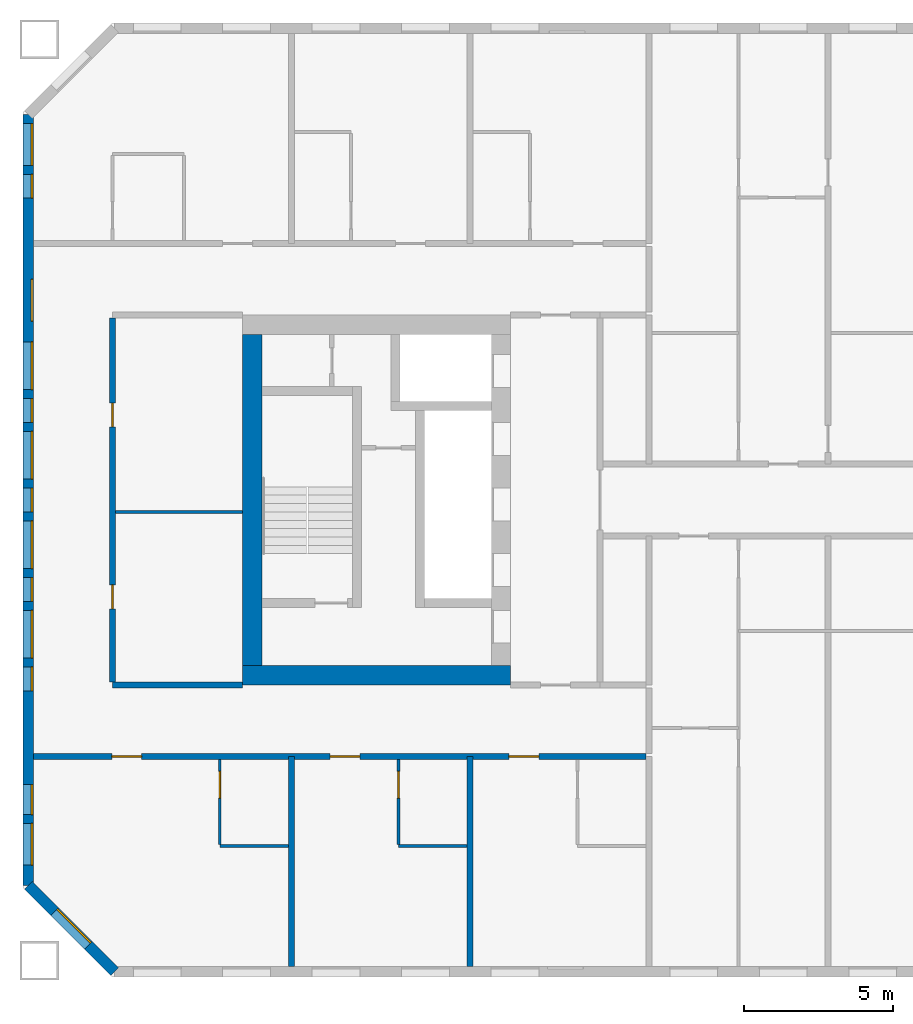
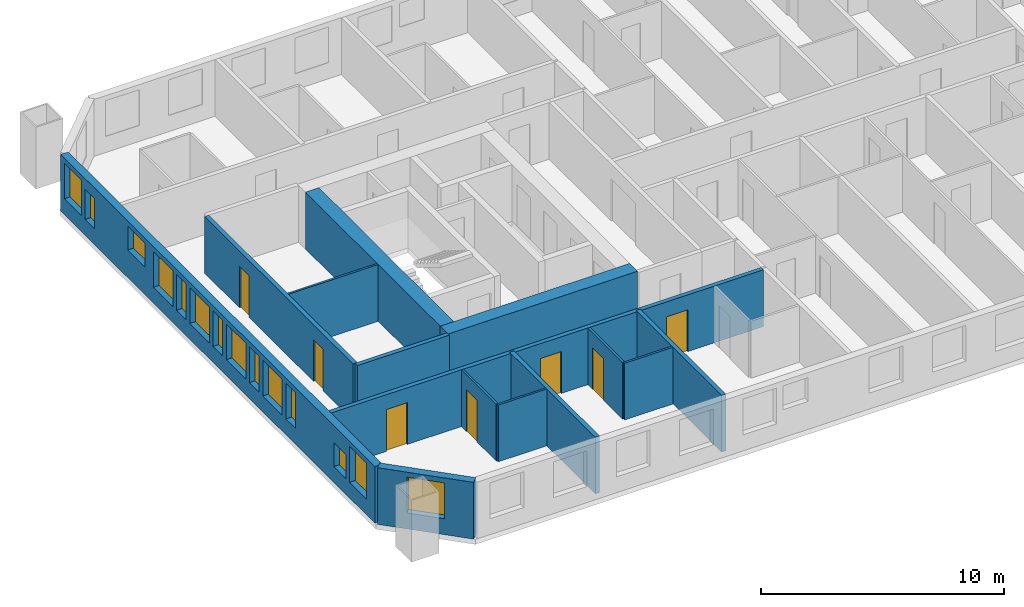
# One storey, part 2 of 17: 14 walls, 14 windows, 7 doors, 21 openings.
"""IFC4 building model written with IfcOpenShell, lengths in metres."""

from ifc_helpers import new_model, si_unit, direction, frame, frame_2d, origin, place, context, subcontext, project, spatial, rectangle, extrude, material, layer, layer_set, type_object, element, fill, save


model = new_model("IFC4")

# Units and contexts
model_context = context("Model", 3, precision=1e-05, world=origin(), true_north=direction((0.0, 1.0)))
body_context = subcontext(model_context, "Body", "Model", "MODEL_VIEW")
ifc_project = project(units=[si_unit("LENGTHUNIT", "METRE"), si_unit("AREAUNIT", "SQUARE_METRE"), si_unit("VOLUMEUNIT", "CUBIC_METRE"), si_unit("PLANEANGLEUNIT", "RADIAN"), si_unit("MASSUNIT", "GRAM", prefix="KILO")], contexts=[model_context])

# Site, building, storey
site_placement = place(None, origin())
site = spatial("IfcSite", under=ifc_project, at=site_placement, CompositionType="ELEMENT")
building_placement = place(site_placement, origin())
building = spatial("IfcBuilding", under=site, at=building_placement, Name="Tuart Gate Housing", CompositionType="ELEMENT")
storey_placement = place(building_placement, frame((0.0, 0.0, 108.800048828125)))
storey = spatial("IfcBuildingStorey", under=building, at=storey_placement, Name="L30", CompositionType="ELEMENT", Elevation=108.800048828125)

# Wall, opening, window
ifc_material_1 = material(Name="Brick", Category="masonry")
ifc_layer_1 = layer(ifc_material_1, 0.360107421875)
ifc_layer_set_1 = layer_set([ifc_layer_1], Name="Brick pier and spandrel wall 360")
wall_type_1 = type_object("IfcWallType", Name="Brick pier and spandrel wall 360", PredefinedType="STANDARD", material=ifc_layer_set_1)
wall_1_placement = place(storey_placement, frame((25.179931640625, 57.07470703125, 0.0), z_axis=(0.0, 0.0, 1.0), x_axis=(0.707106781187, -0.707106781187, 0.0)))
wall_1 = element("IfcWall", 1, at=wall_1_placement, inside=storey, type_object=wall_type_1, Name="External wall A-SW L30", PredefinedType="STANDARD", context=body_context, shape_type="SweptSolid", body=[
    extrude(rectangle(XDim=4.09375, YDim=0.360107421875, at=frame_2d((2.046875, 0.0))), origin(), (0.0, 0.0, 1.0), 2.849853515625),
])
opening_1_placement = place(wall_1_placement, frame((1.2470703125, 0.0, 0.800048828125)))
opening_1 = element("IfcOpeningElement", 2, at=opening_1_placement, cuts=wall_1, Name="Opening W1", PredefinedType="OPENING", context=body_context, shape_type="SweptSolid", body=[
    extrude(rectangle(XDim=1.60009765625, YDim=1.800048828125, at=frame_2d((0.800048828125, 0.89990234375))), frame((0.0, 0.18994140625, 0.0), z_axis=(0.0, -1.0, 0.0), x_axis=(1.0, 0.0, 0.0)), (0.0, 0.0, 1.0), 0.380126953125),
])
ifc_material_2 = material(Name="Aluminium frame with clear glass", Category="aluminium")
window_type_1 = type_object("IfcWindowType", Name="Punched window 1600 x 1800", PartitioningType="SINGLE_PANEL", PredefinedType="WINDOW", material=ifc_material_2)
window_1_placement = place(opening_1_placement, origin())
window_1 = element("IfcWindow", 3, at=window_1_placement, inside=storey, type_object=window_type_1, Name="Window W1", OverallHeight=1.800048828125, OverallWidth=1.60009765625, PartitioningType="SINGLE_PANEL", PredefinedType="WINDOW", context=body_context, shape_type="SweptSolid", body=[
    extrude(rectangle(XDim=1.60009765625, YDim=1.800048828125, at=frame_2d((0.800048828125, 0.89990234375))), frame((0.0, 0.150146484375, 0.0), z_axis=(0.0, -1.0, 0.0), x_axis=(1.0, 0.0, 0.0)), (0.0, 0.0, 1.0), 0.06005859375),
])
fill(opening_1, window_1)

# Wall, openings, windows
wall_2_placement = place(storey_placement, frame((25.179931640625, 82.92529296875, 0.0), z_axis=(0.0, 0.0, 1.0), x_axis=(0.0, -1.0, 0.0)))
wall_2 = element("IfcWall", 4, at=wall_2_placement, inside=storey, type_object=wall_type_1, Name="External wall A-W L30", PredefinedType="STANDARD", context=body_context, shape_type="SweptSolid", body=[
    extrude(rectangle(XDim=25.850830078125, YDim=0.360107421875, at=frame_2d((12.92529296875, 0.0))), origin(), (0.0, 0.0, 1.0), 2.849853515625),
])
opening_2_placement = place(wall_2_placement, frame((0.300048828125, 0.0, 0.800048828125)))
opening_2 = element("IfcOpeningElement", 5, at=opening_2_placement, cuts=wall_2, Name="Opening W1A", PredefinedType="OPENING", context=body_context, shape_type="SweptSolid", body=[
    extrude(rectangle(XDim=1.39990234375, YDim=1.800048828125, at=frame_2d((0.699951171875, 0.89990234375))), frame((0.0, 0.18994140625, 0.0), z_axis=(0.0, -1.0, 0.0), x_axis=(1.0, 0.0, 0.0)), (0.0, 0.0, 1.0), 0.380126953125),
])
opening_3_placement = place(wall_2_placement, frame((5.525390625, 0.0, 1.39990234375)))
opening_3 = element("IfcOpeningElement", 6, at=opening_3_placement, cuts=wall_2, Name="Opening W1M", PredefinedType="OPENING", context=body_context, shape_type="SweptSolid", body=[
    extrude(rectangle(XDim=1.39990234375, YDim=1.199951171875, at=frame_2d((0.699951171875, 0.60009765625))), frame((0.0, 0.18994140625, 0.0), z_axis=(0.0, -1.0, 0.0), x_axis=(1.0, 0.0, 0.0)), (0.0, 0.0, 1.0), 0.380126953125),
])
opening_4_placement = place(wall_2_placement, frame((7.62548828125, 0.0, 0.800048828125)))
opening_4 = element("IfcOpeningElement", 7, at=opening_4_placement, cuts=wall_2, Name="Opening W1", PredefinedType="OPENING", context=body_context, shape_type="SweptSolid", body=[
    extrude(rectangle(XDim=1.60009765625, YDim=1.800048828125, at=frame_2d((0.800048828125, 0.89990234375))), frame((0.0, 0.18994140625, 0.0), z_axis=(0.0, -1.0, 0.0), x_axis=(1.0, 0.0, 0.0)), (0.0, 0.0, 1.0), 0.380126953125),
])
opening_5_placement = place(wall_2_placement, frame((10.62548828125, 0.0, 0.800048828125)))
opening_5 = element("IfcOpeningElement", 8, at=opening_5_placement, cuts=wall_2, Name="Opening W1", PredefinedType="OPENING", context=body_context, shape_type="SweptSolid", body=[
    extrude(rectangle(XDim=1.60009765625, YDim=1.800048828125, at=frame_2d((0.800048828125, 0.89990234375))), frame((0.0, 0.18994140625, 0.0), z_axis=(0.0, -1.0, 0.0), x_axis=(1.0, 0.0, 0.0)), (0.0, 0.0, 1.0), 0.380126953125),
])
opening_6_placement = place(wall_2_placement, frame((13.62548828125, 0.0, 0.800048828125)))
opening_6 = element("IfcOpeningElement", 9, at=opening_6_placement, cuts=wall_2, Name="Opening W1", PredefinedType="OPENING", context=body_context, shape_type="SweptSolid", body=[
    extrude(rectangle(XDim=1.60009765625, YDim=1.800048828125, at=frame_2d((0.800048828125, 0.89990234375))), frame((0.0, 0.18994140625, 0.0), z_axis=(0.0, -1.0, 0.0), x_axis=(1.0, 0.0, 0.0)), (0.0, 0.0, 1.0), 0.380126953125),
])
opening_7_placement = place(wall_2_placement, frame((16.62548828125, 0.0, 0.800048828125)))
opening_7 = element("IfcOpeningElement", 10, at=opening_7_placement, cuts=wall_2, Name="Opening W1", PredefinedType="OPENING", context=body_context, shape_type="SweptSolid", body=[
    extrude(rectangle(XDim=1.60009765625, YDim=1.800048828125, at=frame_2d((0.800048828125, 0.89990234375))), frame((0.0, 0.18994140625, 0.0), z_axis=(0.0, -1.0, 0.0), x_axis=(1.0, 0.0, 0.0)), (0.0, 0.0, 1.0), 0.380126953125),
])
opening_8_placement = place(wall_2_placement, frame((9.525390625, 0.0, 0.800048828125)))
opening_8 = element("IfcOpeningElement", 11, at=opening_8_placement, cuts=wall_2, Name="Opening W1D", PredefinedType="OPENING", context=body_context, shape_type="SweptSolid", body=[
    extrude(rectangle(XDim=0.800048828125, YDim=1.800048828125, at=frame_2d((0.39990234375, 0.89990234375))), frame((0.0, 0.18994140625, 0.0), z_axis=(0.0, -1.0, 0.0), x_axis=(1.0, 0.0, 0.0)), (0.0, 0.0, 1.0), 0.380126953125),
])
opening_9_placement = place(wall_2_placement, frame((22.475341796875, 0.0, 0.800048828125)))
opening_9 = element("IfcOpeningElement", 12, at=opening_9_placement, cuts=wall_2, Name="Opening W1O", PredefinedType="OPENING", context=body_context, shape_type="SweptSolid", body=[
    extrude(rectangle(XDim=1.0, YDim=1.199951171875, at=frame_2d((0.5, 0.60009765625))), frame((0.0, 0.18994140625, 0.0), z_axis=(0.0, -1.0, 0.0), x_axis=(1.0, 0.0, 0.0)), (0.0, 0.0, 1.0), 0.380126953125),
])
opening_10_placement = place(wall_2_placement, frame((2.0, 0.0, 0.800048828125)))
opening_10 = element("IfcOpeningElement", 13, at=opening_10_placement, cuts=wall_2, Name="Opening W1J", PredefinedType="OPENING", context=body_context, shape_type="SweptSolid", body=[
    extrude(rectangle(XDim=0.800048828125, YDim=1.5, at=frame_2d((0.39990234375, 0.75))), frame((0.0, 0.18994140625, 0.0), z_axis=(0.0, -1.0, 0.0), x_axis=(1.0, 0.0, 0.0)), (0.0, 0.0, 1.0), 0.380126953125),
])
opening_11_placement = place(wall_2_placement, frame((12.525390625, 0.0, 0.800048828125)))
opening_11 = element("IfcOpeningElement", 14, at=opening_11_placement, cuts=wall_2, Name="Opening W1D", PredefinedType="OPENING", context=body_context, shape_type="SweptSolid", body=[
    extrude(rectangle(XDim=0.800048828125, YDim=1.800048828125, at=frame_2d((0.39990234375, 0.89990234375))), frame((0.0, 0.18994140625, 0.0), z_axis=(0.0, -1.0, 0.0), x_axis=(1.0, 0.0, 0.0)), (0.0, 0.0, 1.0), 0.380126953125),
])
opening_12_placement = place(wall_2_placement, frame((15.525390625, 0.0, 0.800048828125)))
opening_12 = element("IfcOpeningElement", 15, at=opening_12_placement, cuts=wall_2, Name="Opening W1D", PredefinedType="OPENING", context=body_context, shape_type="SweptSolid", body=[
    extrude(rectangle(XDim=0.800048828125, YDim=1.800048828125, at=frame_2d((0.39990234375, 0.89990234375))), frame((0.0, 0.18994140625, 0.0), z_axis=(0.0, -1.0, 0.0), x_axis=(1.0, 0.0, 0.0)), (0.0, 0.0, 1.0), 0.380126953125),
])
opening_13_placement = place(wall_2_placement, frame((18.525390625, 0.0, 0.800048828125)))
opening_13 = element("IfcOpeningElement", 16, at=opening_13_placement, cuts=wall_2, Name="Opening W1D", PredefinedType="OPENING", context=body_context, shape_type="SweptSolid", body=[
    extrude(rectangle(XDim=0.800048828125, YDim=1.800048828125, at=frame_2d((0.39990234375, 0.89990234375))), frame((0.0, 0.18994140625, 0.0), z_axis=(0.0, -1.0, 0.0), x_axis=(1.0, 0.0, 0.0)), (0.0, 0.0, 1.0), 0.380126953125),
])
opening_14_placement = place(wall_2_placement, frame((23.775390625, 0.0, 0.800048828125)))
opening_14 = element("IfcOpeningElement", 17, at=opening_14_placement, cuts=wall_2, Name="Opening W1A", PredefinedType="OPENING", context=body_context, shape_type="SweptSolid", body=[
    extrude(rectangle(XDim=1.39990234375, YDim=1.800048828125, at=frame_2d((0.699951171875, 0.89990234375))), frame((0.0, 0.18994140625, 0.0), z_axis=(0.0, -1.0, 0.0), x_axis=(1.0, 0.0, 0.0)), (0.0, 0.0, 1.0), 0.380126953125),
])
ifc_material_3 = material(Name="Aluminium frame with clear glass", Category="aluminium")
window_type_2 = type_object("IfcWindowType", Name="Punched window 1000 x 1200", PartitioningType="SINGLE_PANEL", PredefinedType="WINDOW", material=ifc_material_3)
window_2_placement = place(opening_9_placement, origin())
window_2 = element("IfcWindow", 18, at=window_2_placement, inside=storey, type_object=window_type_2, Name="Window W1O", OverallHeight=1.199951171875, OverallWidth=1.0, PartitioningType="SINGLE_PANEL", PredefinedType="WINDOW", context=body_context, shape_type="SweptSolid", body=[
    extrude(rectangle(XDim=1.0, YDim=1.199951171875, at=frame_2d((0.5, 0.60009765625))), frame((0.0, 0.150146484375, 0.0), z_axis=(0.0, -1.0, 0.0), x_axis=(1.0, 0.0, 0.0)), (0.0, 0.0, 1.0), 0.06005859375),
])
fill(opening_9, window_2)
ifc_material_4 = material(Name="Aluminium frame with clear glass", Category="aluminium")
window_type_3 = type_object("IfcWindowType", Name="Punched window 1400 x 1200", PartitioningType="SINGLE_PANEL", PredefinedType="WINDOW", material=ifc_material_4)
window_3_placement = place(opening_3_placement, origin())
window_3 = element("IfcWindow", 19, at=window_3_placement, inside=storey, type_object=window_type_3, Name="Window W1M", OverallHeight=1.199951171875, OverallWidth=1.39990234375, PartitioningType="SINGLE_PANEL", PredefinedType="WINDOW", context=body_context, shape_type="SweptSolid", body=[
    extrude(rectangle(XDim=1.39990234375, YDim=1.199951171875, at=frame_2d((0.699951171875, 0.60009765625))), frame((0.0, 0.150146484375, 0.0), z_axis=(0.0, -1.0, 0.0), x_axis=(1.0, 0.0, 0.0)), (0.0, 0.0, 1.0), 0.06005859375),
])
fill(opening_3, window_3)
ifc_material_5 = material(Name="Aluminium frame with clear glass", Category="aluminium")
window_type_4 = type_object("IfcWindowType", Name="Punched window 1400 x 1800", PartitioningType="SINGLE_PANEL", PredefinedType="WINDOW", material=ifc_material_5)
window_4_placement = place(opening_2_placement, origin())
window_4 = element("IfcWindow", 20, at=window_4_placement, inside=storey, type_object=window_type_4, Name="Window W1A", OverallHeight=1.800048828125, OverallWidth=1.39990234375, PartitioningType="SINGLE_PANEL", PredefinedType="WINDOW", context=body_context, shape_type="SweptSolid", body=[
    extrude(rectangle(XDim=1.39990234375, YDim=1.800048828125, at=frame_2d((0.699951171875, 0.89990234375))), frame((0.0, 0.150146484375, 0.0), z_axis=(0.0, -1.0, 0.0), x_axis=(1.0, 0.0, 0.0)), (0.0, 0.0, 1.0), 0.06005859375),
])
fill(opening_2, window_4)
window_5_placement = place(opening_14_placement, origin())
window_5 = element("IfcWindow", 21, at=window_5_placement, inside=storey, type_object=window_type_4, Name="Window W1A", OverallHeight=1.800048828125, OverallWidth=1.39990234375, PartitioningType="SINGLE_PANEL", PredefinedType="WINDOW", context=body_context, shape_type="SweptSolid", body=[
    extrude(rectangle(XDim=1.39990234375, YDim=1.800048828125, at=frame_2d((0.699951171875, 0.89990234375))), frame((0.0, 0.150146484375, 0.0), z_axis=(0.0, -1.0, 0.0), x_axis=(1.0, 0.0, 0.0)), (0.0, 0.0, 1.0), 0.06005859375),
])
fill(opening_14, window_5)
window_6_placement = place(opening_4_placement, origin())
window_6 = element("IfcWindow", 22, at=window_6_placement, inside=storey, type_object=window_type_1, Name="Window W1", OverallHeight=1.800048828125, OverallWidth=1.60009765625, PartitioningType="SINGLE_PANEL", PredefinedType="WINDOW", context=body_context, shape_type="SweptSolid", body=[
    extrude(rectangle(XDim=1.60009765625, YDim=1.800048828125, at=frame_2d((0.800048828125, 0.89990234375))), frame((0.0, 0.150146484375, 0.0), z_axis=(0.0, -1.0, 0.0), x_axis=(1.0, 0.0, 0.0)), (0.0, 0.0, 1.0), 0.06005859375),
])
fill(opening_4, window_6)
window_7_placement = place(opening_5_placement, origin())
window_7 = element("IfcWindow", 23, at=window_7_placement, inside=storey, type_object=window_type_1, Name="Window W1", OverallHeight=1.800048828125, OverallWidth=1.60009765625, PartitioningType="SINGLE_PANEL", PredefinedType="WINDOW", context=body_context, shape_type="SweptSolid", body=[
    extrude(rectangle(XDim=1.60009765625, YDim=1.800048828125, at=frame_2d((0.800048828125, 0.89990234375))), frame((0.0, 0.150146484375, 0.0), z_axis=(0.0, -1.0, 0.0), x_axis=(1.0, 0.0, 0.0)), (0.0, 0.0, 1.0), 0.06005859375),
])
fill(opening_5, window_7)
window_8_placement = place(opening_6_placement, origin())
window_8 = element("IfcWindow", 24, at=window_8_placement, inside=storey, type_object=window_type_1, Name="Window W1", OverallHeight=1.800048828125, OverallWidth=1.60009765625, PartitioningType="SINGLE_PANEL", PredefinedType="WINDOW", context=body_context, shape_type="SweptSolid", body=[
    extrude(rectangle(XDim=1.60009765625, YDim=1.800048828125, at=frame_2d((0.800048828125, 0.89990234375))), frame((0.0, 0.150146484375, 0.0), z_axis=(0.0, -1.0, 0.0), x_axis=(1.0, 0.0, 0.0)), (0.0, 0.0, 1.0), 0.06005859375),
])
fill(opening_6, window_8)
window_9_placement = place(opening_7_placement, origin())
window_9 = element("IfcWindow", 25, at=window_9_placement, inside=storey, type_object=window_type_1, Name="Window W1", OverallHeight=1.800048828125, OverallWidth=1.60009765625, PartitioningType="SINGLE_PANEL", PredefinedType="WINDOW", context=body_context, shape_type="SweptSolid", body=[
    extrude(rectangle(XDim=1.60009765625, YDim=1.800048828125, at=frame_2d((0.800048828125, 0.89990234375))), frame((0.0, 0.150146484375, 0.0), z_axis=(0.0, -1.0, 0.0), x_axis=(1.0, 0.0, 0.0)), (0.0, 0.0, 1.0), 0.06005859375),
])
fill(opening_7, window_9)
ifc_material_6 = material(Name="Aluminium frame with clear glass", Category="aluminium")
window_type_5 = type_object("IfcWindowType", Name="Punched window 800 x 1500", PartitioningType="SINGLE_PANEL", PredefinedType="WINDOW", material=ifc_material_6)
window_10_placement = place(opening_10_placement, origin())
window_10 = element("IfcWindow", 26, at=window_10_placement, inside=storey, type_object=window_type_5, Name="Window W1J", OverallHeight=1.5, OverallWidth=0.800048828125, PartitioningType="SINGLE_PANEL", PredefinedType="WINDOW", context=body_context, shape_type="SweptSolid", body=[
    extrude(rectangle(XDim=0.800048828125, YDim=1.5, at=frame_2d((0.39990234375, 0.75))), frame((0.0, 0.150146484375, 0.0), z_axis=(0.0, -1.0, 0.0), x_axis=(1.0, 0.0, 0.0)), (0.0, 0.0, 1.0), 0.06005859375),
])
fill(opening_10, window_10)
ifc_material_7 = material(Name="Aluminium frame with clear glass", Category="aluminium")
window_type_6 = type_object("IfcWindowType", Name="Punched window 800 x 1800", PartitioningType="SINGLE_PANEL", PredefinedType="WINDOW", material=ifc_material_7)
window_11_placement = place(opening_8_placement, origin())
window_11 = element("IfcWindow", 27, at=window_11_placement, inside=storey, type_object=window_type_6, Name="Window W1D", OverallHeight=1.800048828125, OverallWidth=0.800048828125, PartitioningType="SINGLE_PANEL", PredefinedType="WINDOW", context=body_context, shape_type="SweptSolid", body=[
    extrude(rectangle(XDim=0.800048828125, YDim=1.800048828125, at=frame_2d((0.39990234375, 0.89990234375))), frame((0.0, 0.150146484375, 0.0), z_axis=(0.0, -1.0, 0.0), x_axis=(1.0, 0.0, 0.0)), (0.0, 0.0, 1.0), 0.06005859375),
])
fill(opening_8, window_11)
window_12_placement = place(opening_11_placement, origin())
window_12 = element("IfcWindow", 28, at=window_12_placement, inside=storey, type_object=window_type_6, Name="Window W1D", OverallHeight=1.800048828125, OverallWidth=0.800048828125, PartitioningType="SINGLE_PANEL", PredefinedType="WINDOW", context=body_context, shape_type="SweptSolid", body=[
    extrude(rectangle(XDim=0.800048828125, YDim=1.800048828125, at=frame_2d((0.39990234375, 0.89990234375))), frame((0.0, 0.150146484375, 0.0), z_axis=(0.0, -1.0, 0.0), x_axis=(1.0, 0.0, 0.0)), (0.0, 0.0, 1.0), 0.06005859375),
])
fill(opening_11, window_12)
window_13_placement = place(opening_12_placement, origin())
window_13 = element("IfcWindow", 29, at=window_13_placement, inside=storey, type_object=window_type_6, Name="Window W1D", OverallHeight=1.800048828125, OverallWidth=0.800048828125, PartitioningType="SINGLE_PANEL", PredefinedType="WINDOW", context=body_context, shape_type="SweptSolid", body=[
    extrude(rectangle(XDim=0.800048828125, YDim=1.800048828125, at=frame_2d((0.39990234375, 0.89990234375))), frame((0.0, 0.150146484375, 0.0), z_axis=(0.0, -1.0, 0.0), x_axis=(1.0, 0.0, 0.0)), (0.0, 0.0, 1.0), 0.06005859375),
])
fill(opening_12, window_13)
window_14_placement = place(opening_13_placement, origin())
window_14 = element("IfcWindow", 30, at=window_14_placement, inside=storey, type_object=window_type_6, Name="Window W1D", OverallHeight=1.800048828125, OverallWidth=0.800048828125, PartitioningType="SINGLE_PANEL", PredefinedType="WINDOW", context=body_context, shape_type="SweptSolid", body=[
    extrude(rectangle(XDim=0.800048828125, YDim=1.800048828125, at=frame_2d((0.39990234375, 0.89990234375))), frame((0.0, 0.150146484375, 0.0), z_axis=(0.0, -1.0, 0.0), x_axis=(1.0, 0.0, 0.0)), (0.0, 0.0, 1.0), 0.06005859375),
])
fill(opening_13, window_14)

# Walls
ifc_material_8 = material(Name="Concrete C50", Category="concrete")
ifc_layer_2 = layer(ifc_material_8, 0.64990234375)
ifc_layer_set_2 = layer_set([ifc_layer_2], Name="Core wall 650 C50")
wall_type_2 = type_object("IfcWallType", Name="Core wall 650 C50", PredefinedType="SHEAR", material=ifc_layer_set_2)
wall_3_placement = place(storey_placement, frame((32.68505859375, 75.550048828125, 0.0), z_axis=(0.0, 0.0, 1.0), x_axis=(0.0, -1.0, 0.0)))
element("IfcWall", 31, at=wall_3_placement, inside=storey, type_object=wall_type_2, Name="Core wall AK back", PredefinedType="SHEAR", context=body_context, shape_type="SweptSolid", body=[
    extrude(rectangle(XDim=11.10009765625, YDim=0.64990234375, at=frame_2d((5.550048828125, 0.0))), origin(), (0.0, 0.0, 1.0), 2.849853515625),
])
wall_4_placement = place(storey_placement, frame((41.360107421875, 64.125, 0.0), z_axis=(0.0, 0.0, 1.0), x_axis=(-1.0, 0.0, 0.0)))
element("IfcWall", 32, at=wall_4_placement, inside=storey, type_object=wall_type_2, Name="Core wall AK north", PredefinedType="SHEAR", context=body_context, shape_type="SweptSolid", body=[
    extrude(rectangle(XDim=9.0, YDim=0.64990234375, at=frame_2d((4.5, 0.0))), origin(), (0.0, 0.0, 1.0), 2.849853515625),
])

# Wall, openings, doors
ifc_material_9 = material(Name="Concrete masonry 15 MPa", Category="masonry")
ifc_layer_3 = layer(ifc_material_9, 0.199951171875)
ifc_layer_set_3 = layer_set([ifc_layer_3], Name="Corridor wall masonry 200")
wall_type_3 = type_object("IfcWallType", Name="Corridor wall masonry 200", PredefinedType="PARTITIONING", material=ifc_layer_set_3)
wall_5_placement = place(storey_placement, frame((25.360107421875, 61.39990234375, 0.0), z_axis=(0.0, 0.0, 1.0), x_axis=(1.0, 0.0, 0.0)))
wall_5 = element("IfcWall", 33, at=wall_5_placement, inside=storey, type_object=wall_type_3, Name="Corridor wall masonry 200", PredefinedType="PARTITIONING", context=body_context, shape_type="SweptSolid", body=[
    extrude(rectangle(XDim=20.539794921875, YDim=0.199951171875, at=frame_2d((10.27001953125, 0.0))), origin(), (0.0, 0.0, 1.0), 2.849853515625),
])
opening_15_placement = place(wall_5_placement, frame((15.93994140625, 0.0, 0.0)))
opening_15 = element("IfcOpeningElement", 34, at=opening_15_placement, cuts=wall_5, Name="Opening D1226", PredefinedType="OPENING", context=body_context, shape_type="SweptSolid", body=[
    extrude(rectangle(XDim=1.0, YDim=2.10009765625, at=frame_2d((0.5, 1.050048828125))), frame((0.0, 0.10986328125, 0.0), z_axis=(0.0, -1.0, 0.0), x_axis=(1.0, 0.0, 0.0)), (0.0, 0.0, 1.0), 0.219970703125),
])
opening_16_placement = place(wall_5_placement, frame((9.93994140625, 0.0, 0.0)))
opening_16 = element("IfcOpeningElement", 35, at=opening_16_placement, cuts=wall_5, Name="Opening D1227", PredefinedType="OPENING", context=body_context, shape_type="SweptSolid", body=[
    extrude(rectangle(XDim=1.0, YDim=2.10009765625, at=frame_2d((0.5, 1.050048828125))), frame((0.0, 0.10986328125, 0.0), z_axis=(0.0, -1.0, 0.0), x_axis=(1.0, 0.0, 0.0)), (0.0, 0.0, 1.0), 0.219970703125),
])
opening_17_placement = place(wall_5_placement, frame((2.6201171875, 0.0, 0.0)))
opening_17 = element("IfcOpeningElement", 36, at=opening_17_placement, cuts=wall_5, Name="Opening D1228", PredefinedType="OPENING", context=body_context, shape_type="SweptSolid", body=[
    extrude(rectangle(XDim=1.0, YDim=2.10009765625, at=frame_2d((0.5, 1.050048828125))), frame((0.0, 0.10986328125, 0.0), z_axis=(0.0, -1.0, 0.0), x_axis=(1.0, 0.0, 0.0)), (0.0, 0.0, 1.0), 0.219970703125),
])
ifc_material_10 = material(Name="Timber door leaf in steel frame", Category="steel")
door_type_1 = type_object("IfcDoorType", Name="Flat entrance door 1000 RH", OperationType="SINGLE_SWING_RIGHT", PredefinedType="DOOR", material=ifc_material_10)
door_1_placement = place(opening_15_placement, frame((1.0, 0.0, 0.0), z_axis=(0.0, 0.0, 1.0), x_axis=(-1.0, 0.0, 0.0)))
door_1 = element("IfcDoor", 37, at=door_1_placement, inside=storey, type_object=door_type_1, Name="Flat entrance door", OperationType="SINGLE_SWING_RIGHT", OverallHeight=2.10009765625, OverallWidth=1.0, PredefinedType="DOOR", context=body_context, shape_type="SweptSolid", body=[
    extrude(rectangle(XDim=1.0, YDim=2.10009765625, at=frame_2d((0.5, 1.050048828125))), frame((0.0, 0.025146484375, 0.0), z_axis=(0.0, -1.0, 0.0), x_axis=(1.0, 0.0, 0.0)), (0.0, 0.0, 1.0), 0.050048828125),
])
fill(opening_15, door_1)
door_2_placement = place(opening_16_placement, frame((1.0, 0.0, 0.0), z_axis=(0.0, 0.0, 1.0), x_axis=(-1.0, 0.0, 0.0)))
door_2 = element("IfcDoor", 38, at=door_2_placement, inside=storey, type_object=door_type_1, Name="Flat entrance door", OperationType="SINGLE_SWING_RIGHT", OverallHeight=2.10009765625, OverallWidth=1.0, PredefinedType="DOOR", context=body_context, shape_type="SweptSolid", body=[
    extrude(rectangle(XDim=1.0, YDim=2.10009765625, at=frame_2d((0.5, 1.050048828125))), frame((0.0, 0.025146484375, 0.0), z_axis=(0.0, -1.0, 0.0), x_axis=(1.0, 0.0, 0.0)), (0.0, 0.0, 1.0), 0.050048828125),
])
fill(opening_16, door_2)
door_3_placement = place(opening_17_placement, frame((1.0, 0.0, 0.0), z_axis=(0.0, 0.0, 1.0), x_axis=(-1.0, 0.0, 0.0)))
door_3 = element("IfcDoor", 39, at=door_3_placement, inside=storey, type_object=door_type_1, Name="Flat entrance door", OperationType="SINGLE_SWING_RIGHT", OverallHeight=2.10009765625, OverallWidth=1.0, PredefinedType="DOOR", context=body_context, shape_type="SweptSolid", body=[
    extrude(rectangle(XDim=1.0, YDim=2.10009765625, at=frame_2d((0.5, 1.050048828125))), frame((0.0, 0.025146484375, 0.0), z_axis=(0.0, -1.0, 0.0), x_axis=(1.0, 0.0, 0.0)), (0.0, 0.0, 1.0), 0.050048828125),
])
fill(opening_17, door_3)

# Wall
wall_6_placement = place(storey_placement, frame((28.0, 63.800048828125, 0.0), z_axis=(0.0, 0.0, 1.0), x_axis=(1.0, 0.0, 0.0)))
element("IfcWall", 40, at=wall_6_placement, inside=storey, type_object=wall_type_3, Name="Corridor wall masonry 200", PredefinedType="PARTITIONING", context=body_context, shape_type="SweptSolid", body=[
    extrude(rectangle(XDim=4.360107421875, YDim=0.199951171875, at=frame_2d((2.18017578125, 0.0))), origin(), (0.0, 0.0, 1.0), 2.849853515625),
])

# Wall, openings, doors
wall_7_placement = place(storey_placement, frame((28.0, 63.89990234375, 0.0), z_axis=(0.0, 0.0, 1.0), x_axis=(0.0, 1.0, 0.0)))
wall_7 = element("IfcWall", 41, at=wall_7_placement, inside=storey, type_object=wall_type_3, Name="Corridor wall masonry 200", PredefinedType="PARTITIONING", context=body_context, shape_type="SweptSolid", body=[
    extrude(rectangle(XDim=12.2001953125, YDim=0.199951171875, at=frame_2d((6.10009765625, 0.0))), origin(), (0.0, 0.0, 1.0), 2.849853515625),
])
opening_18_placement = place(wall_7_placement, frame((2.449951171875, 0.0, 0.0)))
opening_18 = element("IfcOpeningElement", 42, at=opening_18_placement, cuts=wall_7, Name="Opening D1205", PredefinedType="OPENING", context=body_context, shape_type="SweptSolid", body=[
    extrude(rectangle(XDim=0.800048828125, YDim=2.10009765625, at=frame_2d((0.39990234375, 1.050048828125))), frame((0.0, 0.10986328125, 0.0), z_axis=(0.0, -1.0, 0.0), x_axis=(1.0, 0.0, 0.0)), (0.0, 0.0, 1.0), 0.219970703125),
])
opening_19_placement = place(wall_7_placement, frame((8.550048828125, 0.0, 0.0)))
opening_19 = element("IfcOpeningElement", 43, at=opening_19_placement, cuts=wall_7, Name="Opening D1206", PredefinedType="OPENING", context=body_context, shape_type="SweptSolid", body=[
    extrude(rectangle(XDim=0.800048828125, YDim=2.10009765625, at=frame_2d((0.39990234375, 1.050048828125))), frame((0.0, 0.10986328125, 0.0), z_axis=(0.0, -1.0, 0.0), x_axis=(1.0, 0.0, 0.0)), (0.0, 0.0, 1.0), 0.219970703125),
])
ifc_material_11 = material(Name="Timber door leaf in steel frame", Category="steel")
door_type_2 = type_object("IfcDoorType", Name="Store door 800", OperationType="SINGLE_SWING_LEFT", PredefinedType="DOOR", material=ifc_material_11)
door_4_placement = place(opening_18_placement, frame((0.800048828125, 0.0, 0.0), z_axis=(0.0, 0.0, 1.0), x_axis=(-1.0, 0.0, 0.0)))
door_4 = element("IfcDoor", 44, at=door_4_placement, inside=storey, type_object=door_type_2, Name="Store door", OperationType="SINGLE_SWING_LEFT", OverallHeight=2.10009765625, OverallWidth=0.800048828125, PredefinedType="DOOR", context=body_context, shape_type="SweptSolid", body=[
    extrude(rectangle(XDim=0.800048828125, YDim=2.10009765625, at=frame_2d((0.400146484375, 1.050048828125))), frame((0.0, 0.025146484375, 0.0), z_axis=(0.0, -1.0, 0.0), x_axis=(1.0, 0.0, 0.0)), (0.0, 0.0, 1.0), 0.050048828125),
])
fill(opening_18, door_4)
ifc_material_12 = material(Name="Timber door leaf in steel frame", Category="steel")
door_type_3 = type_object("IfcDoorType", Name="Store door 800 RH", OperationType="SINGLE_SWING_RIGHT", PredefinedType="DOOR", material=ifc_material_12)
door_5_placement = place(opening_19_placement, frame((0.800048828125, 0.0, 0.0), z_axis=(0.0, 0.0, 1.0), x_axis=(-1.0, 0.0, 0.0)))
door_5 = element("IfcDoor", 45, at=door_5_placement, inside=storey, type_object=door_type_3, Name="Store door", OperationType="SINGLE_SWING_RIGHT", OverallHeight=2.10009765625, OverallWidth=0.800048828125, PredefinedType="DOOR", context=body_context, shape_type="SweptSolid", body=[
    extrude(rectangle(XDim=0.800048828125, YDim=2.10009765625, at=frame_2d((0.400146484375, 1.050048828125))), frame((0.0, 0.025146484375, 0.0), z_axis=(0.0, -1.0, 0.0), x_axis=(1.0, 0.0, 0.0)), (0.0, 0.0, 1.0), 0.050048828125),
])
fill(opening_19, door_5)

# Walls
ifc_material_13 = material(Name="Gypsum board on steel studs", Category="steel")
ifc_layer_4 = layer(ifc_material_13, 0.10009765625)
ifc_layer_set_4 = layer_set([ifc_layer_4], Name="Partition 100")
wall_type_4 = type_object("IfcWallType", Name="Partition 100", PredefinedType="PARTITIONING", material=ifc_layer_set_4)
for number, where, z_axis, x_axis, name in (
    (46, (31.60009765625, 58.39990234375, 0.0), (0.0, 0.0, 1.0), (1.0, 0.0, 0.0), "Partition 100"),
    (47, (37.60009765625, 58.39990234375, 0.0), (0.0, 0.0, 1.0), (1.0, 0.0, 0.0), "Partition 100"),
):
    element("IfcWall", number, at=place(storey_placement, frame(where, z_axis=z_axis, x_axis=x_axis)), inside=storey, type_object=wall_type_4, Name=name, PredefinedType="PARTITIONING", context=body_context, shape_type="SweptSolid", body=[
        extrude(rectangle(XDim=2.2998046875, YDim=0.10009765625, at=frame_2d((1.14990234375, 0.0))), origin(), (0.0, 0.0, 1.0), 2.849853515625),
    ])
wall_8_placement = place(storey_placement, frame((28.10009765625, 69.60009765625, 0.0), z_axis=(0.0, 0.0, 1.0), x_axis=(1.0, 0.0, 0.0)))
element("IfcWall", 48, at=wall_8_placement, inside=storey, type_object=wall_type_4, Name="Partition 100", PredefinedType="PARTITIONING", context=body_context, shape_type="SweptSolid", body=[
    extrude(rectangle(XDim=4.260009765625, YDim=0.10009765625, at=frame_2d((2.1298828125, 0.0))), origin(), (0.0, 0.0, 1.0), 2.849853515625),
])

# Wall, opening, door
wall_9_placement = place(storey_placement, frame((31.60009765625, 58.449951171875, 0.0), z_axis=(0.0, 0.0, 1.0), x_axis=(0.0, 1.0, 0.0)))
wall_9 = element("IfcWall", 49, at=wall_9_placement, inside=storey, type_object=wall_type_4, Name="Partition 100", PredefinedType="PARTITIONING", context=body_context, shape_type="SweptSolid", body=[
    extrude(rectangle(XDim=2.85009765625, YDim=0.10009765625, at=frame_2d((1.425048828125, 0.0))), origin(), (0.0, 0.0, 1.0), 2.849853515625),
])
opening_20_placement = place(wall_9_placement, frame((1.550048828125, 0.0, 0.0)))
opening_20 = element("IfcOpeningElement", 50, at=opening_20_placement, cuts=wall_9, Name="Opening D1232", PredefinedType="OPENING", context=body_context, shape_type="SweptSolid", body=[
    extrude(rectangle(XDim=0.89990234375, YDim=2.10009765625, at=frame_2d((0.449951171875, 1.050048828125))), frame((0.0, 0.06005859375, 0.0), z_axis=(0.0, -1.0, 0.0), x_axis=(1.0, 0.0, 0.0)), (0.0, 0.0, 1.0), 0.1201171875),
])
ifc_material_14 = material(Name="Timber door leaf in steel frame", Category="steel")
door_type_4 = type_object("IfcDoorType", Name="Bathroom door 900", OperationType="SINGLE_SWING_LEFT", PredefinedType="DOOR", material=ifc_material_14)
door_6_placement = place(opening_20_placement, frame((0.89990234375, 0.0, 0.0), z_axis=(0.0, 0.0, 1.0), x_axis=(-1.0, 0.0, 0.0)))
door_6 = element("IfcDoor", 51, at=door_6_placement, inside=storey, type_object=door_type_4, Name="Bathroom door", OperationType="SINGLE_SWING_LEFT", OverallHeight=2.10009765625, OverallWidth=0.89990234375, PredefinedType="DOOR", context=body_context, shape_type="SweptSolid", body=[
    extrude(rectangle(XDim=0.89990234375, YDim=2.10009765625, at=frame_2d((0.449951171875, 1.050048828125))), frame((0.0, 0.025146484375, 0.0), z_axis=(0.0, -1.0, 0.0), x_axis=(1.0, 0.0, 0.0)), (0.0, 0.0, 1.0), 0.050048828125),
])
fill(opening_20, door_6)

wall_10_placement = place(storey_placement, frame((37.60009765625, 58.449951171875, 0.0), z_axis=(0.0, 0.0, 1.0), x_axis=(0.0, 1.0, 0.0)))
wall_10 = element("IfcWall", 52, at=wall_10_placement, inside=storey, type_object=wall_type_4, Name="Partition 100", PredefinedType="PARTITIONING", context=body_context, shape_type="SweptSolid", body=[
    extrude(rectangle(XDim=2.85009765625, YDim=0.10009765625, at=frame_2d((1.425048828125, 0.0))), origin(), (0.0, 0.0, 1.0), 2.849853515625),
])
opening_21_placement = place(wall_10_placement, frame((1.550048828125, 0.0, 0.0)))
opening_21 = element("IfcOpeningElement", 53, at=opening_21_placement, cuts=wall_10, Name="Opening D1233", PredefinedType="OPENING", context=body_context, shape_type="SweptSolid", body=[
    extrude(rectangle(XDim=0.89990234375, YDim=2.10009765625, at=frame_2d((0.449951171875, 1.050048828125))), frame((0.0, 0.06005859375, 0.0), z_axis=(0.0, -1.0, 0.0), x_axis=(1.0, 0.0, 0.0)), (0.0, 0.0, 1.0), 0.1201171875),
])
door_7_placement = place(opening_21_placement, frame((0.89990234375, 0.0, 0.0), z_axis=(0.0, 0.0, 1.0), x_axis=(-1.0, 0.0, 0.0)))
door_7 = element("IfcDoor", 54, at=door_7_placement, inside=storey, type_object=door_type_4, Name="Bathroom door", OperationType="SINGLE_SWING_LEFT", OverallHeight=2.10009765625, OverallWidth=0.89990234375, PredefinedType="DOOR", context=body_context, shape_type="SweptSolid", body=[
    extrude(rectangle(XDim=0.89990234375, YDim=2.10009765625, at=frame_2d((0.449951171875, 1.050048828125))), frame((0.0, 0.025146484375, 0.0), z_axis=(0.0, -1.0, 0.0), x_axis=(1.0, 0.0, 0.0)), (0.0, 0.0, 1.0), 0.050048828125),
])
fill(opening_21, door_7)

# Walls
ifc_material_15 = material(Name="Concrete C40", Category="concrete")
ifc_layer_5 = layer(ifc_material_15, 0.199951171875)
ifc_layer_set_5 = layer_set([ifc_layer_5], Name="Party wall concrete C40 200")
wall_type_5 = type_object("IfcWallType", Name="Party wall concrete C40 200", PredefinedType="SOLIDWALL", material=ifc_layer_set_5)
for number, where, z_axis, x_axis, name in (
    (55, (34.0, 54.360107421875, 0.0), (0.0, 0.0, 1.0), (0.0, 1.0, 0.0), "Party wall concrete C40 200"),
    (56, (40.0, 54.360107421875, 0.0), (0.0, 0.0, 1.0), (0.0, 1.0, 0.0), "Party wall concrete C40 200"),
):
    element("IfcWall", number, at=place(storey_placement, frame(where, z_axis=z_axis, x_axis=x_axis)), inside=storey, type_object=wall_type_5, Name=name, PredefinedType="SOLIDWALL", context=body_context, shape_type="SweptSolid", body=[
        extrude(rectangle(XDim=7.039794921875, YDim=0.199951171875, at=frame_2d((3.52001953125, 0.0))), origin(), (0.0, 0.0, 1.0), 2.849853515625),
    ])

save(model, "model.ifc")
